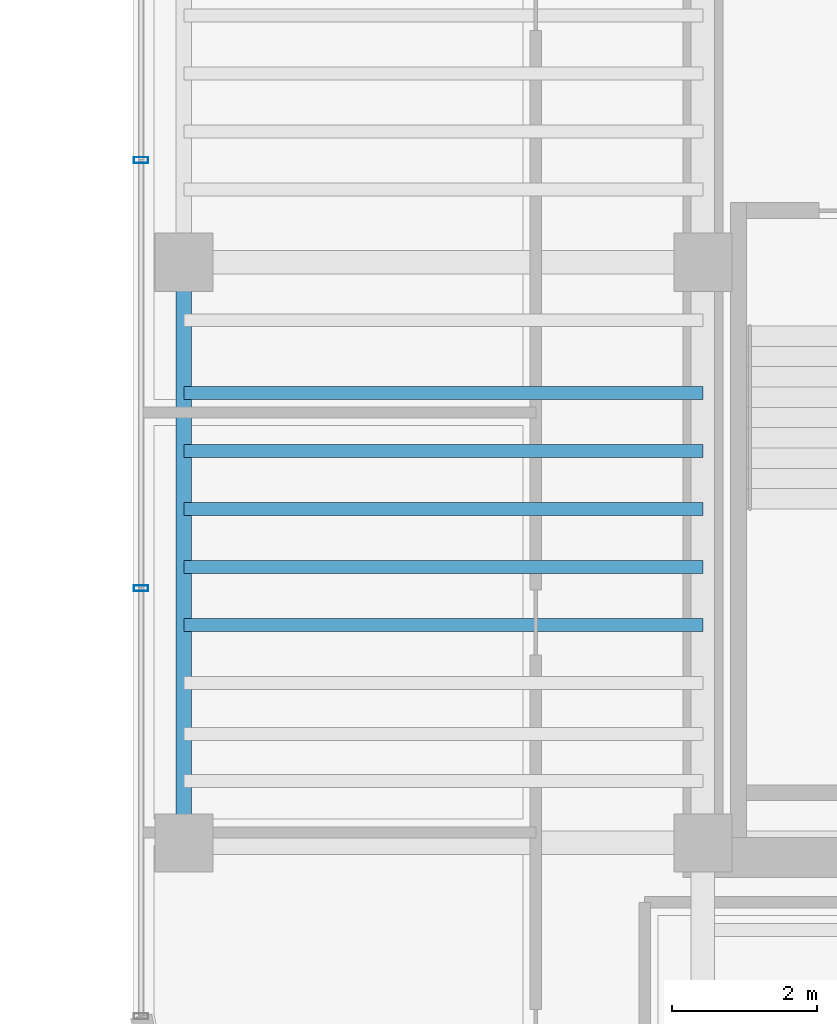
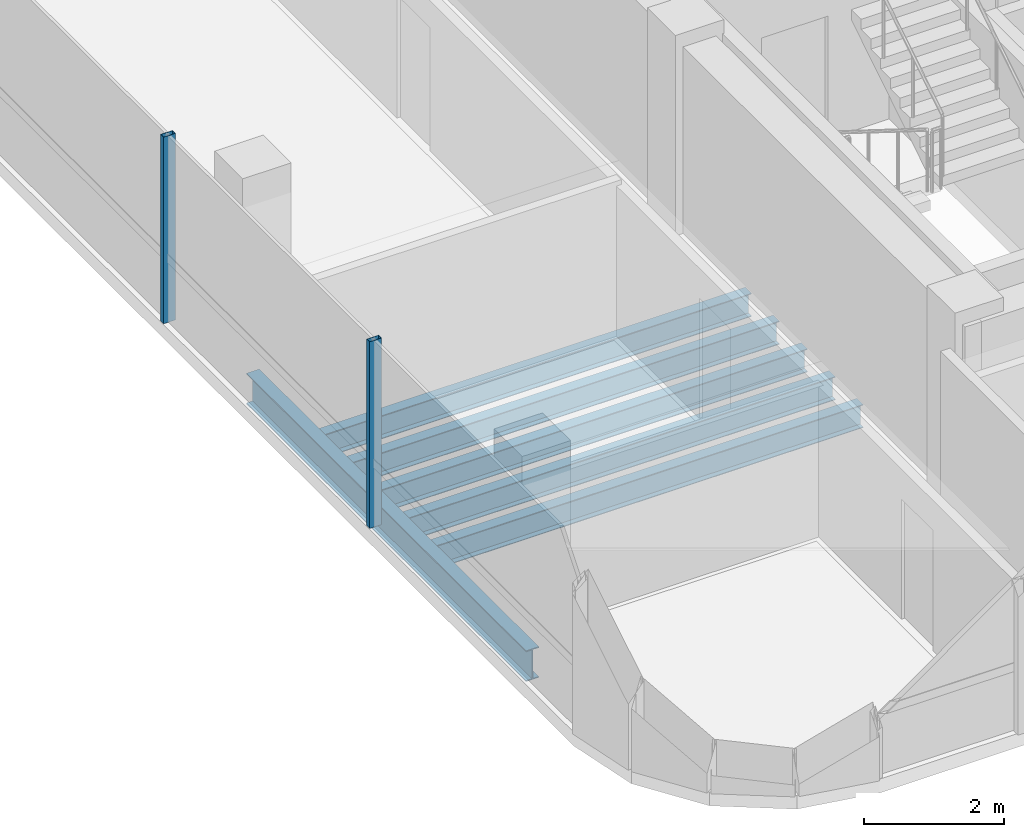
# One storey, part 4 of 20: 6 beams, 2 members, 1 element without a shape of its own.
"""IFC4 building model written with IfcOpenShell, lengths in metres."""

import ifcopenshell
import ifcopenshell.guid

model = None  # the IFC model being written
_history = None  # IfcOwnerHistory: only IFC2X3 demands one
_inside = {}  # id of a spatial element -> (the spatial element, [elements in it])
_under = {}  # id of a project, library or spatial element -> (it, [spatial elements below it])
_declared = {}  # id of a project -> (the project, [libraries it declares])
_typed = {}  # id of a type object -> (the type object, [elements of that type])
_made_of = {}  # id of a material, layer set ... -> (it, [elements and type objects made of it])


def new_model(schema):
    """Start an empty IFC model of exactly this schema.

    Asked for "IFC4X3", IfcOpenShell would pick the latest addendum, in which some entities
    have other attributes; the version numbers below select the first issue.
    IFC2X3 requires an IfcOwnerHistory on every rooted entity: one is made here for all.
    """
    global model, _history
    if schema == "IFC4X3":
        model = ifcopenshell.file(schema_version=(4, 3, 0, 0))
    else:
        model = ifcopenshell.file(schema=schema)
    _inside.clear()
    _under.clear()
    _declared.clear()
    _typed.clear()
    _made_of.clear()
    _history = None
    if model.schema == "IFC2X3":
        org = make("IfcOrganization", Name="unknown")
        user = make(
            "IfcPersonAndOrganization",
            ThePerson=make("IfcPerson", FamilyName="unknown"),
            TheOrganization=org,
        )
        app = make(
            "IfcApplication",
            ApplicationDeveloper=org,
            Version="unknown",
            ApplicationFullName="unknown",
            ApplicationIdentifier="unknown",
        )
        _history = make(
            "IfcOwnerHistory",
            OwningUser=user,
            OwningApplication=app,
            ChangeAction="ADDED",
            CreationDate=0,
        )
    return model


def make(cls, **values):
    """One entity of the class cls with the attributes given. An attribute that is None is left unset."""
    return model.create_entity(
        cls, **{name: value for name, value in values.items() if value is not None}
    )


def rooted(cls, **values):
    """An entity with a GlobalId (a new one), such as an element, a storey or a relation."""
    return make(cls, GlobalId=ifcopenshell.guid.new(), OwnerHistory=_history, **values)


def si_unit(unit_type, name, prefix=None):
    """IfcSIUnit, for example si_unit("LENGTHUNIT", "METRE", prefix="MILLI")."""
    return make("IfcSIUnit", UnitType=unit_type, Prefix=prefix, Name=name)


def assignment(units):
    """IfcUnitAssignment: the units of a project."""
    return None if units is None else make("IfcUnitAssignment", Units=units)


def point(xyz):
    """IfcCartesianPoint."""
    return None if xyz is None else make("IfcCartesianPoint", Coordinates=xyz)


def direction(xyz):
    """IfcDirection."""
    return None if xyz is None else make("IfcDirection", DirectionRatios=xyz)


def frame(location, z_axis=None, x_axis=None):
    """IfcAxis2Placement3D, a coordinate frame: its origin and axes. An axis left out is left unset."""
    return make(
        "IfcAxis2Placement3D",
        Location=point(location),
        Axis=direction(z_axis),
        RefDirection=direction(x_axis),
    )


def frame_2d(location, x_axis=None):
    """IfcAxis2Placement2D, a coordinate frame in the plane: its origin and x axis."""
    return make(
        "IfcAxis2Placement2D", Location=point(location), RefDirection=direction(x_axis)
    )


def origin():
    """The frame at (0, 0, 0) with its axes left unset."""
    return frame((0.0, 0.0, 0.0))


def origin_2d():
    """The frame at (0, 0) in the plane with its x axis left unset."""
    return frame_2d((0.0, 0.0))


def place(relative_to, where):
    """IfcLocalPlacement: puts the frame where relative to a parent placement (None: the world)."""
    return make(
        "IfcLocalPlacement", PlacementRelTo=relative_to, RelativePlacement=where
    )


def context(
    kind, dimensions, precision=None, world=None, true_north=None, identifier=None
):
    """IfcGeometricRepresentationContext, for example the 3D "Model" context."""
    return make(
        "IfcGeometricRepresentationContext",
        ContextIdentifier=identifier,
        ContextType=kind,
        CoordinateSpaceDimension=dimensions,
        Precision=precision,
        WorldCoordinateSystem=world,
        TrueNorth=true_north,
    )


def subcontext(parent, identifier, kind, view, scale=None):
    """IfcGeometricRepresentationSubContext, for example "Body" below "Model"."""
    return make(
        "IfcGeometricRepresentationSubContext",
        ContextIdentifier=identifier,
        ContextType=kind,
        ParentContext=parent,
        TargetScale=scale,
        TargetView=view,
    )


def project(units=None, contexts=None):
    """IfcProject with its units and contexts."""
    return rooted(
        "IfcProject",
        Name="project",
        RepresentationContexts=contexts,
        UnitsInContext=assignment(units),
    )


def spatial(cls, under=None, at=None, **own):
    """A site, building, storey or space (cls), placed at a placement, below another one or the project."""
    s = rooted(cls, ObjectPlacement=at, **own)
    if under is not None:
        _under.setdefault(under.id(), (under, []))[1].append(s)
    return s


def profile(cls, at=None, kind="AREA", **sizes):
    """A parametric profile (cls). Its sizes go by their IFC names, for example OverallWidth=200.0."""
    return make(cls, ProfileType=kind, Position=at, **sizes)


def hollow_rectangle(**sizes):
    """IfcRectangleHollowProfileDef."""
    return profile("IfcRectangleHollowProfileDef", **sizes)


def i_section(**sizes):
    """IfcIShapeProfileDef."""
    return profile("IfcIShapeProfileDef", **sizes)


def extrude(swept, where, along, depth):
    """IfcExtrudedAreaSolid: the profile swept, set in the frame where, extruded along a direction by depth."""
    return make(
        "IfcExtrudedAreaSolid",
        SweptArea=swept,
        Position=where,
        ExtrudedDirection=direction(along),
        Depth=depth,
    )


def shape(context_of_items, identifier, shape_type, items):
    """IfcShapeRepresentation: the items that make up one representation, for example the "Body"."""
    return make(
        "IfcShapeRepresentation",
        ContextOfItems=context_of_items,
        RepresentationIdentifier=identifier,
        RepresentationType=shape_type,
        Items=items,
    )


def source(mapping_origin, context_of_items, identifier, shape_type, items):
    """IfcRepresentationMap: a shape defined once, which mapped items show again and again."""
    return make(
        "IfcRepresentationMap",
        MappingOrigin=mapping_origin,
        MappedRepresentation=shape(context_of_items, identifier, shape_type, items),
    )


def transform(
    local_origin,
    x_axis=None,
    y_axis=None,
    z_axis=None,
    scale=None,
    scale2=None,
    scale3=None,
    uniform=True,
):
    """IfcCartesianTransformationOperator3D, or its non-uniform kind. x_axis, y_axis, z_axis: its Axis1, 2, 3."""
    if uniform:
        return make(
            "IfcCartesianTransformationOperator3D",
            Axis1=direction(x_axis),
            Axis2=direction(y_axis),
            LocalOrigin=point(local_origin),
            Scale=scale,
            Axis3=direction(z_axis),
        )
    return make(
        "IfcCartesianTransformationOperator3DnonUniform",
        Axis1=direction(x_axis),
        Axis2=direction(y_axis),
        LocalOrigin=point(local_origin),
        Scale=scale,
        Axis3=direction(z_axis),
        Scale2=scale2,
        Scale3=scale3,
    )


def mapped(mapping_source, mapping_target):
    """IfcMappedItem: shows the shape of a source again, moved by a transform."""
    return make(
        "IfcMappedItem", MappingSource=mapping_source, MappingTarget=mapping_target
    )


def material(Name=None, Category=None):
    """IfcMaterial."""
    return make("IfcMaterial", Name=Name, Category=Category)


def material_profile(
    of_material, cross_section, Name=None, Category=None, Priority=None
):
    """IfcMaterialProfile: a cross section and its material."""
    return make(
        "IfcMaterialProfile",
        Name=Name,
        Material=of_material,
        Profile=cross_section,
        Priority=Priority,
        Category=Category,
    )


def profile_set(profiles, Name=None, composite=None):
    """IfcMaterialProfileSet."""
    return make(
        "IfcMaterialProfileSet",
        Name=Name,
        MaterialProfiles=profiles,
        CompositeProfile=composite,
    )


def made_of(thing, what):
    """Note that an element or type object is made of a material, layer set ...; save() writes the relation."""
    if what is not None:
        _made_of.setdefault(what.id(), (what, []))[1].append(thing)
    return thing


def type_object(cls, material=None, **own):
    """A type object (cls), such as IfcWallType, which elements share."""
    return made_of(rooted(cls, **own), material)


def element(
    cls,
    number,
    at=None,
    inside=None,
    cuts=None,
    type_object=None,
    material=None,
    context=None,
    identifier="Body",
    shape_type=None,
    held_by="IfcProductDefinitionShape",
    body=None,
    shapes=None,
    **own,
):
    """One element of the class cls, such as IfcWall. Its Tag is "e" and its number.

    at: its placement. inside: the storey or other place that contains it. cuts: it is an
    opening in that element (IfcRelVoidsElement). A single representation is given by context,
    identifier, shape_type and body (its items); several are given by shapes. held_by: the class
    of the entity that holds the representations. save() writes the other relations.
    """
    e = rooted(cls, Tag="e%d" % number, ObjectPlacement=at, **own)
    if body is not None:
        shapes = [shape(context, identifier, shape_type, body)]
    if shapes is not None:
        e.Representation = make(held_by, Representations=shapes)
    if inside is not None:
        _inside.setdefault(inside.id(), (inside, []))[1].append(e)
    if cuts is not None:
        rooted(
            "IfcRelVoidsElement", RelatingBuildingElement=cuts, RelatedOpeningElement=e
        )
    if type_object is not None:
        _typed.setdefault(type_object.id(), (type_object, []))[1].append(e)
    return made_of(e, material)


def aggregate(whole, parts):
    """IfcRelAggregates: a whole, such as a stair, and the parts it consists of."""
    return rooted("IfcRelAggregates", RelatingObject=whole, RelatedObjects=parts)


def save(model, path):
    """Write the relations noted so far, then the file.

    IfcRelAggregates (storeys below a building ...), IfcRelContainedInSpatialStructure (elements
    in a storey), IfcRelDefinesByType, IfcRelAssociatesMaterial and IfcRelDeclares: one each for
    every whole, place, type object, material and project.
    """
    for whole, parts in _under.values():
        aggregate(whole, parts)
    for where, things in _inside.values():
        rooted(
            "IfcRelContainedInSpatialStructure",
            RelatedElements=things,
            RelatingStructure=where,
        )
    for kind, things in _typed.values():
        rooted("IfcRelDefinesByType", RelatedObjects=things, RelatingType=kind)
    for what, things in _made_of.values():
        rooted("IfcRelAssociatesMaterial", RelatedObjects=things, RelatingMaterial=what)
    for by, libraries in _declared.values():
        rooted("IfcRelDeclares", RelatingContext=by, RelatedDefinitions=libraries)
    model.write(path)


model = new_model("IFC4")

# Units and contexts
model_context = context("Model", 3, precision=1e-05, world=origin(), true_north=direction((0.0, 1.0)))
body_context = subcontext(model_context, "Body", "Model", "MODEL_VIEW")
ifc_project = project(units=[si_unit("LENGTHUNIT", "METRE"), si_unit("AREAUNIT", "SQUARE_METRE"), si_unit("VOLUMEUNIT", "CUBIC_METRE"), si_unit("PLANEANGLEUNIT", "RADIAN"), si_unit("MASSUNIT", "GRAM", prefix="KILO")], contexts=[model_context])

# Site, building, storey
site_placement = place(None, origin())
site = spatial("IfcSite", under=ifc_project, at=site_placement, CompositionType="ELEMENT")
building_placement = place(site_placement, origin())
building = spatial("IfcBuilding", under=site, at=building_placement, Name="Valdorenza Pilgrim Sanctuary Tower", CompositionType="ELEMENT")
storey_placement = place(building_placement, frame((0.0, 0.0, 283.5)))
storey = spatial("IfcBuildingStorey", under=building, at=storey_placement, Name="L74", CompositionType="ELEMENT", Elevation=283.5)

# Beams
ifc_material_1 = material(Name="Steel ASTM A992 Grade 50", Category="steel")
ifc_material_profile_1 = material_profile(ifc_material_1, i_section(OverallWidth=0.2109375, OverallDepth=0.5390625, WebThickness=0.01171875, FlangeThickness=0.018798828125, at=origin_2d()), Name="W21X73")
ifc_profile_set_1 = profile_set([ifc_material_profile_1], Name="Steel ASTM A992 Grade 50")
beam_type_1 = type_object("IfcBeamType", Name="STR-BM-SPN-W21B", PredefinedType="SPANDREL", material=ifc_profile_set_1)
shared_shape_1 = source(origin(), body_context, "Body", "SweptSolid", [
    extrude(i_section(OverallWidth=0.2109375, OverallDepth=0.5390625, WebThickness=0.01171875, FlangeThickness=0.018798828125, at=origin_2d()), origin(), (0.0, 0.0, 1.0), 8.0),
])
beam_placement = place(storey_placement, frame((-29.800048828125, -10.60009765625, -0.509521484375), z_axis=(0.0, 1.0, 0.0), x_axis=(-1.0, 0.0, 0.0)))
element("IfcBeam", 1, at=beam_placement, inside=storey, type_object=beam_type_1, Name="L74 Spandrel Beam WA-W-S1M0", PredefinedType="SPANDREL", context=body_context, shape_type="MappedRepresentation", body=[
    mapped(shared_shape_1, transform((0.0, 0.0, 0.0), x_axis=(1.0, 0.0, 0.0), y_axis=(0.0, 1.0, 0.0), z_axis=(0.0, 0.0, 1.0), scale=1.0)),
])
ifc_material_profile_2 = material_profile(ifc_material_1, i_section(OverallWidth=0.177978515625, OverallDepth=0.406005859375, WebThickness=0.0078125, FlangeThickness=0.0126953125, at=origin_2d()), Name="W16X40")
ifc_profile_set_2 = profile_set([ifc_material_profile_2], Name="Steel ASTM A992 Grade 50")
beam_type_2 = type_object("IfcBeamType", Name="STR-BM-JST-W16", PredefinedType="JOIST", material=ifc_profile_set_2)
shared_shape_2 = source(origin(), body_context, "Body", "SweptSolid", [
    extrude(i_section(OverallWidth=0.177978515625, OverallDepth=0.406005859375, WebThickness=0.0078125, FlangeThickness=0.0126953125, at=origin_2d()), origin(), (0.0, 0.0, 1.0), 7.150146484375),
])
for number, where, z_axis, x_axis, name in (
    (2, (-29.800048828125, -7.60009765625, -0.443115234375), (1.0, 0.0, 0.0), (0.0, 1.0, 0.0), "L74 Composite Floor Joist JST-WA-4"),
    (3, (-29.800048828125, -6.800048828125, -0.443115234375), (1.0, 0.0, 0.0), (0.0, 1.0, 0.0), "L74 Composite Floor Joist JST-WA-5"),
    (4, (-29.800048828125, -6.0, -0.443115234375), (1.0, 0.0, 0.0), (0.0, 1.0, 0.0), "L74 Composite Floor Joist JST-WA-6"),
    (5, (-29.800048828125, -5.199951171875, -0.443115234375), (1.0, 0.0, 0.0), (0.0, 1.0, 0.0), "L74 Composite Floor Joist JST-WA-7"),
    (6, (-29.800048828125, -4.39990234375, -0.443115234375), (1.0, 0.0, 0.0), (0.0, 1.0, 0.0), "L74 Composite Floor Joist JST-WA-8"),
):
    element("IfcBeam", number, at=place(storey_placement, frame(where, z_axis=z_axis, x_axis=x_axis)), inside=storey, type_object=beam_type_2, Name=name, PredefinedType="JOIST", context=body_context, shape_type="MappedRepresentation", body=[
        mapped(shared_shape_2, transform((0.0, 0.0, 0.0), x_axis=(1.0, 0.0, 0.0), y_axis=(0.0, 1.0, 0.0), z_axis=(0.0, 0.0, 1.0), scale=1.0)),
    ])

# Curtain wall, members
ifc_material_2 = material(Name="Curtain-wall IGU glazing", Category="glass")
curtain_wall_type = type_object("IfcCurtainWallType", Name="CW-SYS-02", PredefinedType="NOTDEFINED", material=ifc_material_2)
curtain_wall_placement = place(storey_placement, origin())
curtain_wall = element("IfcCurtainWall", 7, at=curtain_wall_placement, inside=storey, type_object=curtain_wall_type, Name="L74 Curtain Wall CW-L74-1-1S1", PredefinedType="NOTDEFINED")
ifc_material_3 = material(Name="Anodised aluminium AW-6060", Category="aluminium")
ifc_material_profile_3 = material_profile(ifc_material_3, hollow_rectangle(XDim=0.0849609375, YDim=0.199951171875, WallThickness=0.0048828125, at=origin_2d()), Name="ALU-M 200x85x5")
ifc_profile_set_3 = profile_set([ifc_material_profile_3], Name="Anodised aluminium AW-6060")
member_type = type_object("IfcMemberType", Name="CW-MUL-02", PredefinedType="MULLION", material=ifc_profile_set_3)
shared_shape_3 = source(origin(), body_context, "Body", "SweptSolid", [
    extrude(hollow_rectangle(XDim=0.0849609375, YDim=0.199951171875, WallThickness=0.0048828125, at=origin_2d()), origin(), (0.0, 0.0, 1.0), 3.260009765625),
])
member_1_placement = place(storey_placement, frame((-30.389892578125, -7.091796875, 0.0), z_axis=(0.0, 0.0, 1.0), x_axis=(0.0, 1.0, 0.0)))
member_1 = element("IfcMember", 8, at=member_1_placement, type_object=member_type, Name="CW-L74-1-1S1 Mullion 2", PredefinedType="MULLION", context=body_context, shape_type="MappedRepresentation", body=[
    mapped(shared_shape_3, transform((0.0, 0.0, 0.0), x_axis=(1.0, 0.0, 0.0), y_axis=(0.0, 1.0, 0.0), z_axis=(0.0, 0.0, 1.0), scale=1.0)),
])
member_2_placement = place(storey_placement, frame((-30.389892578125, -1.194580078125, 0.0), z_axis=(0.0, 0.0, 1.0), x_axis=(0.0, 1.0, 0.0)))
member_2 = element("IfcMember", 9, at=member_2_placement, type_object=member_type, Name="CW-L74-1-1S1 Mullion 3", PredefinedType="MULLION", context=body_context, shape_type="MappedRepresentation", body=[
    mapped(shared_shape_3, transform((0.0, 0.0, 0.0), x_axis=(1.0, 0.0, 0.0), y_axis=(0.0, 1.0, 0.0), z_axis=(0.0, 0.0, 1.0), scale=1.0)),
])
aggregate(curtain_wall, [member_1, member_2])

save(model, "model.ifc")
